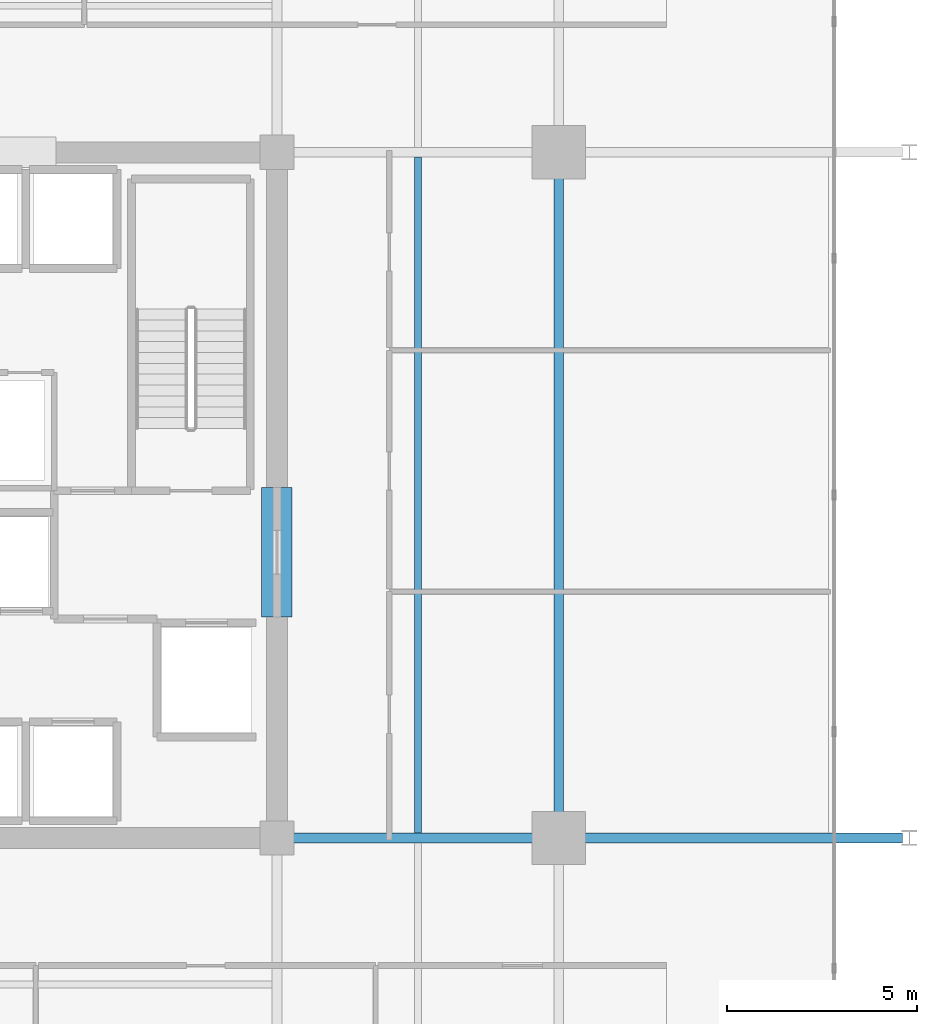
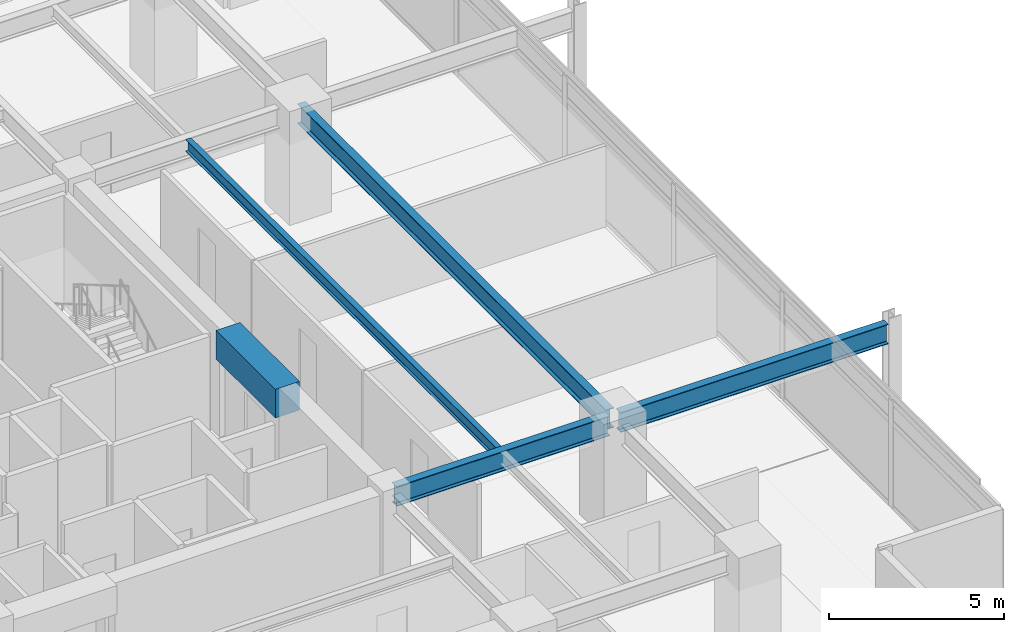
# One storey, part 3 of 23: 5 beams.
"""IFC4 building model written with IfcOpenShell, lengths in metres."""

from ifc_helpers import new_model, si_unit, direction, frame, origin, origin_2d, place, context, subcontext, project, spatial, rectangle, i_section, extrude, material, material_profile, profile_set, type_object, element, save


model = new_model("IFC4")

# Units and contexts
model_context = context("Model", 3, precision=1e-05, world=origin(), true_north=direction((0.0, 1.0)))
body_context = subcontext(model_context, "Body", "Model", "MODEL_VIEW")
ifc_project = project(units=[si_unit("LENGTHUNIT", "METRE"), si_unit("AREAUNIT", "SQUARE_METRE"), si_unit("VOLUMEUNIT", "CUBIC_METRE"), si_unit("PLANEANGLEUNIT", "RADIAN"), si_unit("MASSUNIT", "GRAM", prefix="KILO")], contexts=[model_context])

# Site, building, storey
site_placement = place(None, origin())
site = spatial("IfcSite", under=ifc_project, at=site_placement, CompositionType="ELEMENT")
building_placement = place(site_placement, origin())
building = spatial("IfcBuilding", under=site, at=building_placement, Name="Kovane Verandah Tower", CompositionType="ELEMENT")
storey_placement = place(building_placement, frame((0.0, 0.0, 221.199951171875)))
storey = spatial("IfcBuildingStorey", under=building, at=storey_placement, Name="L51", CompositionType="ELEMENT", Elevation=221.199951171875)

# Beams
ifc_material_1 = material(Name="Concrete C60/75", Category="concrete")
ifc_material_profile_1 = material_profile(ifc_material_1, rectangle(XDim=0.800048828125, YDim=1.0, at=origin_2d()), Name="RCB800x1000")
ifc_profile_set_1 = profile_set([ifc_material_profile_1], Name="Concrete C60/75")
beam_type_1 = type_object("IfcBeamType", Name="BM-LINTEL-800x1000", PredefinedType="LINTEL", material=ifc_profile_set_1)
beam_1_placement = place(storey_placement, frame((51.0, 24.300048828125, 3.275146484375), z_axis=(0.0, 1.0, 0.0), x_axis=(-1.0, 0.0, 0.0)))
element("IfcBeam", 1, at=beam_1_placement, inside=storey, type_object=beam_type_1, Name="L51 Core Coupling Lintel CL-E", PredefinedType="LINTEL", context=body_context, shape_type="SweptSolid", body=[
    extrude(rectangle(XDim=0.800048828125, YDim=1.0, at=origin_2d()), origin(), (0.0, 0.0, 1.0), 3.39990234375),
])
ifc_material_2 = material(Name="Steel S355", Category="steel")
ifc_material_profile_2 = material_profile(ifc_material_2, i_section(OverallWidth=0.255859375, OverallDepth=0.69287109375, WebThickness=0.014404296875, FlangeThickness=0.023681640625, FilletRadius=0.01513671875, at=origin_2d()), Name="UB686x254x170")
ifc_profile_set_2 = profile_set([ifc_material_profile_2], Name="Steel S355")
beam_type_2 = type_object("IfcBeamType", Name="BM-UB686x170", PredefinedType="BEAM", material=ifc_profile_set_2)
beam_2_placement = place(storey_placement, frame((58.39990234375, 18.679931640625, 3.428466796875), z_axis=(0.0, 1.0, 0.0), x_axis=(-1.0, 0.0, 0.0)))
element("IfcBeam", 2, at=beam_2_placement, inside=storey, type_object=beam_type_2, Name="L51 Primary Tower Girder G-RE2", PredefinedType="BEAM", context=body_context, shape_type="SweptSolid", body=[
    extrude(i_section(OverallWidth=0.255859375, OverallDepth=0.69287109375, WebThickness=0.014404296875, FlangeThickness=0.023681640625, FilletRadius=0.01513671875, at=origin_2d()), origin(), (0.0, 0.0, 1.0), 17.64013671875),
])
beam_3_placement = place(storey_placement, frame((51.179931640625, 18.5, 3.428466796875), z_axis=(1.0, 0.0, 0.0), x_axis=(0.0, 1.0, 0.0)))
element("IfcBeam", 3, at=beam_3_placement, inside=storey, type_object=beam_type_2, Name="L51 Primary Tower Girder G-E1", PredefinedType="BEAM", context=body_context, shape_type="SweptSolid", body=[
    extrude(i_section(OverallWidth=0.255859375, OverallDepth=0.69287109375, WebThickness=0.014404296875, FlangeThickness=0.023681640625, FilletRadius=0.01513671875, at=origin_2d()), origin(), (0.0, 0.0, 1.0), 7.0400390625),
])
beam_4_placement = place(storey_placement, frame((58.580078125, 18.5, 3.41357421875), z_axis=(1.0, 0.0, 0.0), x_axis=(0.0, 1.0, 0.0)))
element("IfcBeam", 4, at=beam_4_placement, inside=storey, type_object=beam_type_2, Name="L51 Primary Tower Girder G-VE1", PredefinedType="BEAM", context=body_context, shape_type="SweptSolid", body=[
    extrude(i_section(OverallWidth=0.255859375, OverallDepth=0.69287109375, WebThickness=0.014404296875, FlangeThickness=0.023681640625, FilletRadius=0.01513671875, at=origin_2d()), origin(), (0.0, 0.0, 1.0), 8.83984375),
])
ifc_material_profile_3 = material_profile(ifc_material_2, i_section(OverallWidth=0.179443359375, OverallDepth=0.412841796875, WebThickness=0.009521484375, FlangeThickness=0.01611328125, FilletRadius=0.01025390625, at=origin_2d()), Name="UB406x178x74")
ifc_profile_set_3 = profile_set([ifc_material_profile_3], Name="Steel S355")
beam_type_3 = type_object("IfcBeamType", Name="JST-UB406x74", PredefinedType="JOIST", material=ifc_profile_set_3)
beam_5_placement = place(storey_placement, frame((54.699951171875, 18.6259765625, 3.568603515625), z_axis=(0.0, 1.0, 0.0), x_axis=(-1.0, 0.0, 0.0)))
element("IfcBeam", 5, at=beam_5_placement, inside=storey, type_object=beam_type_3, Name="L51 Secondary Composite Joist J-E1", PredefinedType="JOIST", context=body_context, shape_type="SweptSolid", body=[
    extrude(i_section(OverallWidth=0.179443359375, OverallDepth=0.412841796875, WebThickness=0.009521484375, FlangeThickness=0.01611328125, FilletRadius=0.01025390625, at=origin_2d()), origin(), (0.0, 0.0, 1.0), 17.748046875),
])

save(model, "model.ifc")
